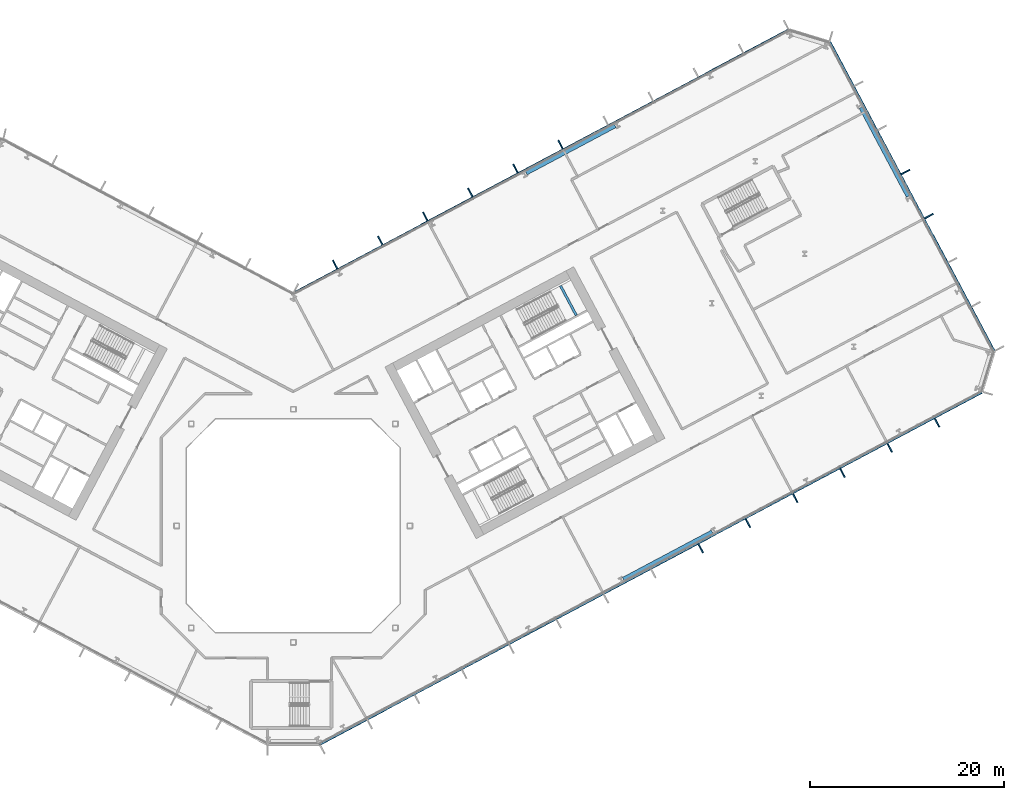
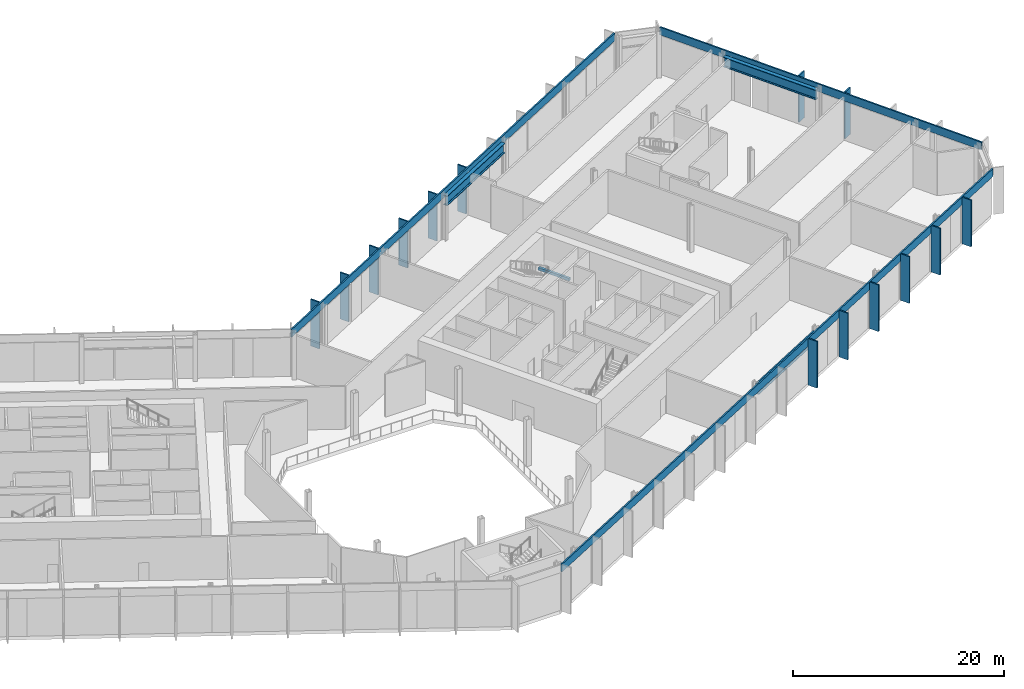
# One storey, part 7 of 31: 17 members, 4 beams, 3 elements without a shape of their own.
"""IFC4 building model written with IfcOpenShell, lengths in metres."""

from ifc_helpers import new_model, si_unit, direction, frame, origin, origin_2d, place, context, subcontext, project, spatial, rectangle, i_section, extrude, material, layer, layer_set, material_profile, profile_set, type_object, element, aggregate, save


model = new_model("IFC4")

# Units and contexts
model_context = context("Model", 3, precision=1e-05, world=origin(), true_north=direction((0.0, 1.0)))
body_context = subcontext(model_context, "Body", "Model", "MODEL_VIEW")
ifc_project = project(units=[si_unit("LENGTHUNIT", "METRE"), si_unit("AREAUNIT", "SQUARE_METRE"), si_unit("VOLUMEUNIT", "CUBIC_METRE"), si_unit("PLANEANGLEUNIT", "RADIAN"), si_unit("MASSUNIT", "GRAM", prefix="KILO")], contexts=[model_context])

# Site, building, storey
site_placement = place(None, origin())
site = spatial("IfcSite", under=ifc_project, at=site_placement, CompositionType="ELEMENT")
building_placement = place(site_placement, origin())
building = spatial("IfcBuilding", under=site, at=building_placement, Name="Cormorant Relay Tower", CompositionType="ELEMENT")
storey_placement = place(building_placement, frame((0.0, 0.0, 33.800048828125)))
storey = spatial("IfcBuildingStorey", under=building, at=storey_placement, Name="L06", CompositionType="ELEMENT", Elevation=33.800048828125)

# Curtain wall, members
ifc_material_1 = material(Name="Aluminium 6063-T6 anodised bronze", Category="aluminium")
ifc_layer = layer(ifc_material_1, 0.235107421875)
ifc_layer_set = layer_set([ifc_layer], Name="CW6 data hall curtain wall with mineral wool panels")
curtain_wall_type = type_object("IfcCurtainWallType", Name="CW6 data hall curtain wall with mineral wool panels", PredefinedType="NOTDEFINED", material=ifc_layer_set)
curtain_wall_1_placement = place(storey_placement, origin())
curtain_wall_1 = element("IfcCurtainWall", 1, at=curtain_wall_1_placement, inside=storey, type_object=curtain_wall_type, Name="CW6 curtain wall 2", PredefinedType="NOTDEFINED")
ifc_material_2 = material(Name="Aluminium 6063-T6 anodised bronze", Category="aluminium")
ifc_material_profile_1 = material_profile(ifc_material_2, rectangle(XDim=0.14990234375, YDim=1.0, at=origin_2d()), Name="AL 150x1000")
ifc_profile_set_1 = profile_set([ifc_material_profile_1], Name="Aluminium 6063-T6 anodised bronze")
member_type_1 = type_object("IfcMemberType", Name="CW6 bronze fin mullion 150 x 1000", PredefinedType="MULLION", material=ifc_profile_set_1)
member_1_placement = place(storey_placement, frame((41.92724609375, -2.3232421875, 0.0), z_axis=(0.0, 0.0, 1.0), x_axis=(0.882947592859, 0.469471562786, 0.0)))
member_1 = element("IfcMember", 2, at=member_1_placement, type_object=member_type_1, Name="CW6 fin 2.9", PredefinedType="MULLION", context=body_context, shape_type="SweptSolid", body=[
    extrude(rectangle(XDim=0.14990234375, YDim=1.0, at=origin_2d()), origin(), (0.0, 0.0, 1.0), 5.39990234375),
])
member_2_placement = place(storey_placement, frame((46.7939453125, 0.264404296875, 0.0), z_axis=(0.0, 0.0, 1.0), x_axis=(0.882947592859, 0.469471562786, 0.0)))
member_2 = element("IfcMember", 3, at=member_2_placement, type_object=member_type_1, Name="CW6 fin 2.10", PredefinedType="MULLION", context=body_context, shape_type="SweptSolid", body=[
    extrude(rectangle(XDim=0.14990234375, YDim=1.0, at=origin_2d()), origin(), (0.0, 0.0, 1.0), 5.39990234375),
])
member_3_placement = place(storey_placement, frame((51.66064453125, 2.85205078125, 0.0), z_axis=(0.0, 0.0, 1.0), x_axis=(0.882947592859, 0.469471562786, 0.0)))
member_3 = element("IfcMember", 4, at=member_3_placement, type_object=member_type_1, Name="CW6 fin 2.11", PredefinedType="MULLION", context=body_context, shape_type="SweptSolid", body=[
    extrude(rectangle(XDim=0.14990234375, YDim=1.0, at=origin_2d()), origin(), (0.0, 0.0, 1.0), 5.39990234375),
])
member_4_placement = place(storey_placement, frame((56.52734375, 5.439697265625, 0.0), z_axis=(0.0, 0.0, 1.0), x_axis=(0.882947592859, 0.469471562786, 0.0)))
member_4 = element("IfcMember", 5, at=member_4_placement, type_object=member_type_1, Name="CW6 fin 2.12", PredefinedType="MULLION", context=body_context, shape_type="SweptSolid", body=[
    extrude(rectangle(XDim=0.14990234375, YDim=1.0, at=origin_2d()), origin(), (0.0, 0.0, 1.0), 5.39990234375),
])
member_5_placement = place(storey_placement, frame((61.39404296875, 8.02734375, 0.0), z_axis=(0.0, 0.0, 1.0), x_axis=(0.882947592859, 0.469471562786, 0.0)))
member_5 = element("IfcMember", 6, at=member_5_placement, type_object=member_type_1, Name="CW6 fin 2.13", PredefinedType="MULLION", context=body_context, shape_type="SweptSolid", body=[
    extrude(rectangle(XDim=0.14990234375, YDim=1.0, at=origin_2d()), origin(), (0.0, 0.0, 1.0), 5.39990234375),
])
member_6_placement = place(storey_placement, frame((66.2607421875, 10.614990234375, 0.0), z_axis=(0.0, 0.0, 1.0), x_axis=(0.882947592859, 0.469471562786, 0.0)))
member_6 = element("IfcMember", 7, at=member_6_placement, type_object=member_type_1, Name="CW6 fin 2.14", PredefinedType="MULLION", context=body_context, shape_type="SweptSolid", body=[
    extrude(rectangle(XDim=0.14990234375, YDim=1.0, at=origin_2d()), origin(), (0.0, 0.0, 1.0), 5.39990234375),
])

curtain_wall_2_placement = place(storey_placement, origin())
curtain_wall_2 = element("IfcCurtainWall", 8, at=curtain_wall_2_placement, inside=storey, type_object=curtain_wall_type, Name="CW6 curtain wall 4", PredefinedType="NOTDEFINED")
member_7_placement = place(storey_placement, frame((65.428466796875, 31.876708984375, 0.0), z_axis=(0.0, 0.0, 1.0), x_axis=(-0.469471562786, 0.882947592859, 0.0)))
member_7 = element("IfcMember", 9, at=member_7_placement, type_object=member_type_1, Name="CW6 fin 4.4", PredefinedType="MULLION", context=body_context, shape_type="SweptSolid", body=[
    extrude(rectangle(XDim=0.14990234375, YDim=1.0, at=origin_2d()), origin(), (0.0, 0.0, 1.0), 5.39990234375),
])
member_8_placement = place(storey_placement, frame((63.013916015625, 36.41748046875, 0.0), z_axis=(0.0, 0.0, 1.0), x_axis=(-0.469471562786, 0.882947592859, 0.0)))
member_8 = element("IfcMember", 10, at=member_8_placement, type_object=member_type_1, Name="CW6 fin 4.5", PredefinedType="MULLION", context=body_context, shape_type="SweptSolid", body=[
    extrude(rectangle(XDim=0.14990234375, YDim=1.0, at=origin_2d()), origin(), (0.0, 0.0, 1.0), 5.39990234375),
])

curtain_wall_3_placement = place(storey_placement, origin())
curtain_wall_3 = element("IfcCurtainWall", 11, at=curtain_wall_3_placement, inside=storey, type_object=curtain_wall_type, Name="CW6 curtain wall 6", PredefinedType="NOTDEFINED")
member_9_placement = place(storey_placement, frame((27.50830078125, 39.242919921875, 0.0), z_axis=(0.0, 0.0, 1.0), x_axis=(-0.882947592859, -0.469471562786, 0.0)))
member_9 = element("IfcMember", 12, at=member_9_placement, type_object=member_type_1, Name="CW6 fin 6.6", PredefinedType="MULLION", context=body_context, shape_type="SweptSolid", body=[
    extrude(rectangle(XDim=0.14990234375, YDim=1.0, at=origin_2d()), origin(), (0.0, 0.0, 1.0), 5.39990234375),
])
member_10_placement = place(storey_placement, frame((22.8662109375, 36.7744140625, 0.0), z_axis=(0.0, 0.0, 1.0), x_axis=(-0.882947592859, -0.469471562786, 0.0)))
member_10 = element("IfcMember", 13, at=member_10_placement, type_object=member_type_1, Name="CW6 fin 6.7", PredefinedType="MULLION", context=body_context, shape_type="SweptSolid", body=[
    extrude(rectangle(XDim=0.14990234375, YDim=1.0, at=origin_2d()), origin(), (0.0, 0.0, 1.0), 5.39990234375),
])
member_11_placement = place(storey_placement, frame((18.223876953125, 34.30615234375, 0.0), z_axis=(0.0, 0.0, 1.0), x_axis=(-0.882947592859, -0.469471562786, 0.0)))
member_11 = element("IfcMember", 14, at=member_11_placement, type_object=member_type_1, Name="CW6 fin 6.8", PredefinedType="MULLION", context=body_context, shape_type="SweptSolid", body=[
    extrude(rectangle(XDim=0.14990234375, YDim=1.0, at=origin_2d()), origin(), (0.0, 0.0, 1.0), 5.39990234375),
])
member_12_placement = place(storey_placement, frame((13.58154296875, 31.837890625, 0.0), z_axis=(0.0, 0.0, 1.0), x_axis=(-0.882947592859, -0.469471562786, 0.0)))
member_12 = element("IfcMember", 15, at=member_12_placement, type_object=member_type_1, Name="CW6 fin 6.9", PredefinedType="MULLION", context=body_context, shape_type="SweptSolid", body=[
    extrude(rectangle(XDim=0.14990234375, YDim=1.0, at=origin_2d()), origin(), (0.0, 0.0, 1.0), 5.39990234375),
])
member_13_placement = place(storey_placement, frame((8.939453125, 29.36962890625, 0.0), z_axis=(0.0, 0.0, 1.0), x_axis=(-0.882947592859, -0.469471562786, 0.0)))
member_13 = element("IfcMember", 16, at=member_13_placement, type_object=member_type_1, Name="CW6 fin 6.10", PredefinedType="MULLION", context=body_context, shape_type="SweptSolid", body=[
    extrude(rectangle(XDim=0.14990234375, YDim=1.0, at=origin_2d()), origin(), (0.0, 0.0, 1.0), 5.39990234375),
])
member_14_placement = place(storey_placement, frame((4.297119140625, 26.9013671875, 0.0), z_axis=(0.0, 0.0, 1.0), x_axis=(-0.882947592859, -0.469471562786, 0.0)))
member_14 = element("IfcMember", 17, at=member_14_placement, type_object=member_type_1, Name="CW6 fin 6.11", PredefinedType="MULLION", context=body_context, shape_type="SweptSolid", body=[
    extrude(rectangle(XDim=0.14990234375, YDim=1.0, at=origin_2d()), origin(), (0.0, 0.0, 1.0), 5.39990234375),
])

# Member
ifc_material_3 = material(Name="Aluminium 6063-T6 anodised bronze", Category="aluminium")
ifc_material_profile_2 = material_profile(ifc_material_3, rectangle(XDim=0.159912109375, YDim=0.89990234375, at=origin_2d()), Name="AL 160x900")
ifc_profile_set_2 = profile_set([ifc_material_profile_2], Name="Aluminium 6063-T6 anodised bronze")
member_type_2 = type_object("IfcMemberType", Name="CW6 bronze transom 160 x 900", PredefinedType="USERDEFINED", material=ifc_profile_set_2)
member_15_placement = place(storey_placement, frame((2.7216796875, -22.512451171875, 4.949951171875), z_axis=(0.882946645884, 0.469473343783, 0.0), x_axis=(-0.469473343783, 0.882946645884, 0.0)))
member_15 = element("IfcMember", 18, at=member_15_placement, type_object=member_type_2, Name="CW6 transom 2", ObjectType="TRANSOM", PredefinedType="USERDEFINED", context=body_context, shape_type="SweptSolid", body=[
    extrude(rectangle(XDim=0.159912109375, YDim=0.89990234375, at=origin_2d()), origin(), (0.0, 0.0, 1.0), 77.165771484375),
])

aggregate(curtain_wall_1, [member_1, member_2, member_3, member_4, member_5, member_6, member_15])

member_16_placement = place(storey_placement, frame((72.15966796875, 17.981689453125, 4.949951171875), z_axis=(-0.469474517326, 0.882946021896, 0.0), x_axis=(-0.882946021896, -0.469474517326, 0.0)))
member_16 = element("IfcMember", 19, at=member_16_placement, type_object=member_type_2, Name="CW6 transom 4", ObjectType="TRANSOM", PredefinedType="USERDEFINED", context=body_context, shape_type="SweptSolid", body=[
    extrude(rectangle(XDim=0.159912109375, YDim=0.89990234375, at=origin_2d()), origin(), (0.0, 0.0, 1.0), 36.0),
])

aggregate(curtain_wall_2, [member_7, member_8, member_16])

member_17_placement = place(storey_placement, frame((50.99169921875, 51.072265625, 4.949951171875), z_axis=(-0.882948196078, -0.469470428295, 0.0), x_axis=(0.469470428295, -0.882948196078, 0.0)))
member_17 = element("IfcMember", 20, at=member_17_placement, type_object=member_type_2, Name="CW6 transom 6", ObjectType="TRANSOM", PredefinedType="USERDEFINED", context=body_context, shape_type="SweptSolid", body=[
    extrude(rectangle(XDim=0.159912109375, YDim=0.89990234375, at=origin_2d()), origin(), (0.0, 0.0, 1.0), 57.833984375),
])

aggregate(curtain_wall_3, [member_9, member_10, member_11, member_12, member_13, member_14, member_17])

# Beams
ifc_material_4 = material(Name="Steel ASTM A992 (Fy 345 MPa)", Category="steel")
ifc_material_profile_3 = material_profile(ifc_material_4, i_section(OverallWidth=0.408935546875, OverallDepth=1.137939453125, WebThickness=0.031005859375, FlangeThickness=0.05517578125, FilletRadius=0.02001953125, at=origin_2d()), Name="W1100x607")
ifc_profile_set_3 = profile_set([ifc_material_profile_3], Name="Steel ASTM A992 (Fy 345 MPa)")
beam_type_1 = type_object("IfcBeamType", Name="Spandrel W1100x607", PredefinedType="SPANDREL", material=ifc_profile_set_3)
for number, where, z_axis, x_axis, name in (
    (21, (33.9716796875, -5.4892578125, 4.380859375), (0.882947604656, 0.469471540599, 0.0), (-0.469471540599, 0.882947604656, 0.0), "Spandrel beam L06-002"),
    (22, (63.289306640625, 33.898681640625, 4.380859375), (-0.469471540599, 0.882947604656, 0.0), (-0.882947604656, -0.469471540599, 0.0), "Spandrel beam L06-004"),
):
    element("IfcBeam", number, at=place(storey_placement, frame(where, z_axis=z_axis, x_axis=x_axis)), inside=storey, type_object=beam_type_1, Name=name, PredefinedType="SPANDREL", context=body_context, shape_type="SweptSolid", body=[
        extrude(i_section(OverallWidth=0.408935546875, OverallDepth=1.137939453125, WebThickness=0.031005859375, FlangeThickness=0.05517578125, FilletRadius=0.02001953125, at=origin_2d()), origin(), (0.0, 0.0, 1.0), 10.36376953125),
    ])
beam_1_placement = place(storey_placement, frame((33.132080078125, 41.169189453125, 4.380859375), z_axis=(-0.882942412403, -0.469481305677, 0.0), x_axis=(0.469481305677, -0.882942412403, 0.0)))
element("IfcBeam", 23, at=beam_1_placement, inside=storey, type_object=beam_type_1, Name="Spandrel beam L06-006", PredefinedType="SPANDREL", context=body_context, shape_type="SweptSolid", body=[
    extrude(i_section(OverallWidth=0.408935546875, OverallDepth=1.137939453125, WebThickness=0.031005859375, FlangeThickness=0.05517578125, FilletRadius=0.02001953125, at=origin_2d()), origin(), (0.0, 0.0, 1.0), 10.363525390625),
])
ifc_material_5 = material(Name="Concrete 50 MPa", Category="concrete")
ifc_material_profile_4 = material_profile(ifc_material_5, rectangle(XDim=0.25, YDim=0.300048828125, at=origin_2d()), Name="RC 250x300")
ifc_profile_set_4 = profile_set([ifc_material_profile_4], Name="Concrete 50 MPa")
beam_type_2 = type_object("IfcBeamType", Name="Stair landing ledge beam 250x300", PredefinedType="BEAM", material=ifc_profile_set_4)
beam_2_placement = place(storey_placement, frame((29.1259765625, 21.6591796875, 2.349853515625), z_axis=(-0.469493252696, 0.882936059788, 0.0), x_axis=(-0.882936059788, -0.469493252696, 0.0)))
element("IfcBeam", 24, at=beam_2_placement, inside=storey, type_object=beam_type_2, Name="B2 landing ledge beam", PredefinedType="BEAM", context=body_context, shape_type="SweptSolid", body=[
    extrude(rectangle(XDim=0.25, YDim=0.300048828125, at=origin_2d()), origin(), (0.0, 0.0, 1.0), 3.44970703125),
])

save(model, "model.ifc")
